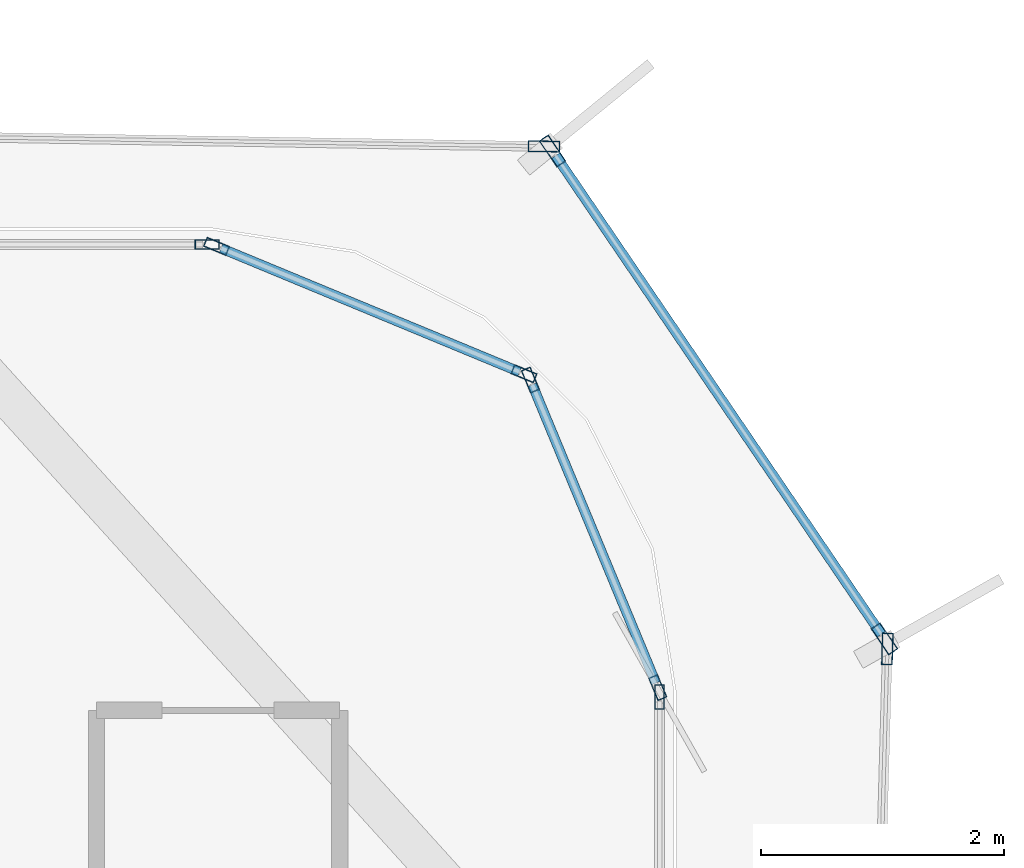
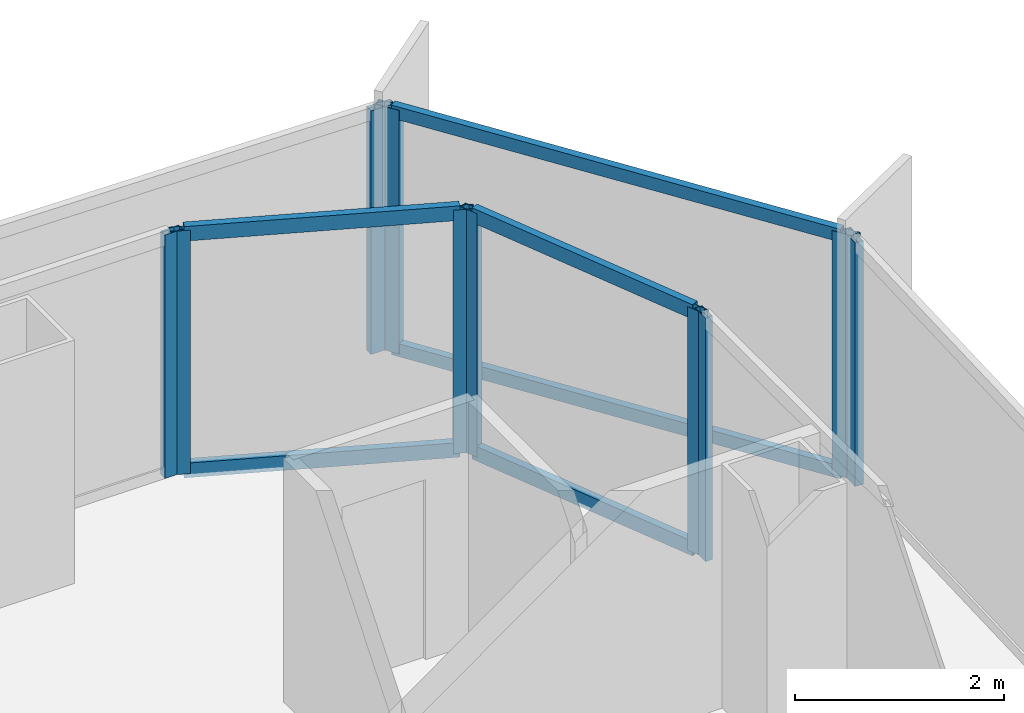
# One storey, part 14 of 21: 16 members, 7 elements without a shape of their own.
"""IFC4 building model written with IfcOpenShell, lengths in metres."""

from ifc_helpers import new_model, si_unit, direction, frame, origin, origin_2d, place, context, subcontext, project, spatial, hollow_rectangle, extrude, source, transform, mapped, material, layer, layer_set, material_profile, profile_set, type_object, element, aggregate, save


model = new_model("IFC4")

# Units and contexts
model_context = context("Model", 3, precision=1e-05, world=origin(), true_north=direction((0.0, 1.0)))
body_context = subcontext(model_context, "Body", "Model", "MODEL_VIEW")
ifc_project = project(units=[si_unit("LENGTHUNIT", "METRE"), si_unit("AREAUNIT", "SQUARE_METRE"), si_unit("VOLUMEUNIT", "CUBIC_METRE"), si_unit("PLANEANGLEUNIT", "RADIAN"), si_unit("MASSUNIT", "GRAM", prefix="KILO")], contexts=[model_context])

# Site, building, storey
site_placement = place(None, origin())
site = spatial("IfcSite", under=ifc_project, at=site_placement, CompositionType="ELEMENT")
building_placement = place(site_placement, origin())
building = spatial("IfcBuilding", under=site, at=building_placement, Name="Kolveth Station Tower", CompositionType="ELEMENT")
storey_placement = place(building_placement, frame((0.0, 0.0, 140.699951171875)))
storey = spatial("IfcBuildingStorey", under=building, at=storey_placement, Name="L39", CompositionType="ELEMENT", Elevation=140.699951171875)

# Curtain wall, members
ifc_material_1 = material(Name="Aluminium 6063-T6 and low-E dark glass", Category="aluminium")
ifc_layer_1 = layer(ifc_material_1, 0.18994140625)
ifc_layer_set_1 = layer_set([ifc_layer_1], Name="Aluminium 6063-T6 and low-E dark glass")
curtain_wall_type_1 = type_object("IfcCurtainWallType", Name="CurtainWall_CW-Z2", PredefinedType="NOTDEFINED", material=ifc_layer_set_1)
curtain_wall_1_placement = place(storey_placement, origin())
curtain_wall_1 = element("IfcCurtainWall", 1, at=curtain_wall_1_placement, inside=storey, type_object=curtain_wall_type_1, Name="L39 Inner Thermal Curtain Wall 4", PredefinedType="NOTDEFINED")
ifc_material_2 = material(Name="Black anodized aluminium 6063-T6", Category="aluminium")
ifc_material_profile_1 = material_profile(ifc_material_2, hollow_rectangle(XDim=0.080078125, YDim=0.169921875, WallThickness=0.0048828125, at=origin_2d()), Name="ALU-80x170x5")
ifc_profile_set_1 = profile_set([ifc_material_profile_1], Name="Black anodized aluminium 6063-T6")
member_type_1 = type_object("IfcMemberType", Name="Transom_TR2", PredefinedType="USERDEFINED", material=ifc_profile_set_1)
shared_shape_1 = source(origin(), body_context, "Body", "SweptSolid", [
    extrude(hollow_rectangle(XDim=0.080078125, YDim=0.169921875, WallThickness=0.0048828125, at=origin_2d()), origin(), (0.0, 0.0, 1.0), 2.656494140625),
])
member_1_placement = place(storey_placement, frame((46.849365234375, 31.573974609375, 0.0400390625), z_axis=(-0.382676455475, 0.923882422403, 0.0), x_axis=(-0.923882422403, -0.382676455475, 0.0)))
member_1 = element("IfcMember", 2, at=member_1_placement, type_object=member_type_1, Name="CW-Z2 transom 1.1", ObjectType="TRANSOM", PredefinedType="USERDEFINED", context=body_context, shape_type="MappedRepresentation", body=[
    mapped(shared_shape_1, transform((0.0, 0.0, 0.0), x_axis=(1.0, 0.0, 0.0), y_axis=(0.0, 1.0, 0.0), z_axis=(0.0, 0.0, 1.0), scale=1.0)),
])
member_2_placement = place(storey_placement, frame((46.849365234375, 31.573974609375, 2.800048828125), z_axis=(-0.382676455475, 0.923882422403, 0.0), x_axis=(-0.923882422403, -0.382676455475, 0.0)))
member_2 = element("IfcMember", 3, at=member_2_placement, type_object=member_type_1, Name="CW-Z2 transom 1.2", ObjectType="TRANSOM", PredefinedType="USERDEFINED", context=body_context, shape_type="MappedRepresentation", body=[
    mapped(shared_shape_1, transform((0.0, 0.0, 0.0), x_axis=(1.0, 0.0, 0.0), y_axis=(0.0, 1.0, 0.0), z_axis=(0.0, 0.0, 1.0), scale=1.0)),
])

curtain_wall_2_placement = place(storey_placement, origin())
curtain_wall_2 = element("IfcCurtainWall", 4, at=curtain_wall_2_placement, inside=storey, type_object=curtain_wall_type_1, Name="L39 Inner Thermal Curtain Wall 5", PredefinedType="NOTDEFINED")
member_3_placement = place(storey_placement, frame((45.728271484375, 34.1328125, 0.0400390625), z_axis=(-0.923882422403, 0.382676455475, 0.0), x_axis=(-0.382676455475, -0.923882422403, 0.0)))
member_3 = element("IfcMember", 5, at=member_3_placement, type_object=member_type_1, Name="CW-Z2 transom 1.1", ObjectType="TRANSOM", PredefinedType="USERDEFINED", context=body_context, shape_type="MappedRepresentation", body=[
    mapped(shared_shape_1, transform((0.0, 0.0, 0.0), x_axis=(1.0, 0.0, 0.0), y_axis=(0.0, 1.0, 0.0), z_axis=(0.0, 0.0, 1.0), scale=1.0)),
])
member_4_placement = place(storey_placement, frame((45.728271484375, 34.1328125, 2.800048828125), z_axis=(-0.923882422403, 0.382676455475, 0.0), x_axis=(-0.382676455475, -0.923882422403, 0.0)))
member_4 = element("IfcMember", 6, at=member_4_placement, type_object=member_type_1, Name="CW-Z2 transom 1.2", ObjectType="TRANSOM", PredefinedType="USERDEFINED", context=body_context, shape_type="MappedRepresentation", body=[
    mapped(shared_shape_1, transform((0.0, 0.0, 0.0), x_axis=(1.0, 0.0, 0.0), y_axis=(0.0, 1.0, 0.0), z_axis=(0.0, 0.0, 1.0), scale=1.0)),
])

# Curtain wall, member
curtain_wall_3_placement = place(storey_placement, origin())
curtain_wall_3 = element("IfcCurtainWall", 7, at=curtain_wall_3_placement, inside=storey, type_object=curtain_wall_type_1, Name="L39 Inner Thermal Curtain Wall 3", PredefinedType="NOTDEFINED")
ifc_material_profile_2 = material_profile(ifc_material_2, hollow_rectangle(XDim=0.080078125, YDim=0.199951171875, WallThickness=0.0048828125, at=origin_2d()), Name="ALU-80x200x5")
ifc_profile_set_2 = profile_set([ifc_material_profile_2], Name="Black anodized aluminium 6063-T6")
member_type_2 = type_object("IfcMemberType", Name="Mullion_ML2", PredefinedType="MULLION", material=ifc_profile_set_2)
shared_shape_2 = source(origin(), body_context, "Body", "SweptSolid", [
    extrude(hollow_rectangle(XDim=0.080078125, YDim=0.199951171875, WallThickness=0.0048828125, at=origin_2d()), origin(), (0.0, 0.0, 1.0), 2.840087890625),
])
member_5_placement = place(storey_placement, frame((46.8798828125, 31.4599609375, 0.0), z_axis=(0.0, 0.0, 1.0), x_axis=(-1.0, 0.0, 0.0)))
member_5 = element("IfcMember", 8, at=member_5_placement, type_object=member_type_2, Name="CW-Z2 mullion 2", PredefinedType="MULLION", context=body_context, shape_type="MappedRepresentation", body=[
    mapped(shared_shape_2, transform((0.0, 0.0, 0.0), x_axis=(1.0, 0.0, 0.0), y_axis=(0.0, 1.0, 0.0), z_axis=(0.0, 0.0, 1.0), scale=1.0)),
])
aggregate(curtain_wall_3, [member_5])

# Member
member_6_placement = place(storey_placement, frame((46.86474609375, 31.536865234375, 0.0), z_axis=(0.0, 0.0, 1.0), x_axis=(-0.923887883787, -0.38266326998, 0.0)))
member_6 = element("IfcMember", 9, at=member_6_placement, type_object=member_type_2, Name="CW-Z2 mullion 1", PredefinedType="MULLION", context=body_context, shape_type="MappedRepresentation", body=[
    mapped(shared_shape_2, transform((0.0, 0.0, 0.0), x_axis=(1.0, 0.0, 0.0), y_axis=(0.0, 1.0, 0.0), z_axis=(0.0, 0.0, 1.0), scale=1.0)),
])

member_7_placement = place(storey_placement, frame((45.817626953125, 34.065185546875, 0.0), z_axis=(0.0, 0.0, 1.0), x_axis=(-0.923887883787, -0.38266326998, 0.0)))
member_7 = element("IfcMember", 10, at=member_7_placement, type_object=member_type_2, Name="CW-Z2 mullion 2", PredefinedType="MULLION", context=body_context, shape_type="MappedRepresentation", body=[
    mapped(shared_shape_2, transform((0.0, 0.0, 0.0), x_axis=(1.0, 0.0, 0.0), y_axis=(0.0, 1.0, 0.0), z_axis=(0.0, 0.0, 1.0), scale=1.0)),
])

aggregate(curtain_wall_1, [member_6, member_7, member_1, member_2])

member_8_placement = place(storey_placement, frame((45.76513671875, 34.117431640625, 0.0), z_axis=(0.0, 0.0, 1.0), x_axis=(-0.38266326998, -0.923887883787, 0.0)))
member_8 = element("IfcMember", 11, at=member_8_placement, type_object=member_type_2, Name="CW-Z2 mullion 1", PredefinedType="MULLION", context=body_context, shape_type="MappedRepresentation", body=[
    mapped(shared_shape_2, transform((0.0, 0.0, 0.0), x_axis=(1.0, 0.0, 0.0), y_axis=(0.0, 1.0, 0.0), z_axis=(0.0, 0.0, 1.0), scale=1.0)),
])

member_9_placement = place(storey_placement, frame((43.237060546875, 35.164794921875, 0.0), z_axis=(0.0, 0.0, 1.0), x_axis=(-0.38266326998, -0.923887883787, 0.0)))
member_9 = element("IfcMember", 12, at=member_9_placement, type_object=member_type_2, Name="CW-Z2 mullion 2", PredefinedType="MULLION", context=body_context, shape_type="MappedRepresentation", body=[
    mapped(shared_shape_2, transform((0.0, 0.0, 0.0), x_axis=(1.0, 0.0, 0.0), y_axis=(0.0, 1.0, 0.0), z_axis=(0.0, 0.0, 1.0), scale=1.0)),
])

aggregate(curtain_wall_2, [member_8, member_9, member_3, member_4])

# Curtain wall, member
curtain_wall_4_placement = place(storey_placement, origin())
curtain_wall_4 = element("IfcCurtainWall", 13, at=curtain_wall_4_placement, inside=storey, type_object=curtain_wall_type_1, Name="L39 Inner Thermal Curtain Wall 6", PredefinedType="NOTDEFINED")
member_10_placement = place(storey_placement, frame((43.159912109375, 35.179931640625, 0.0), z_axis=(0.0, 0.0, 1.0), x_axis=(0.0, -1.0, 0.0)))
member_10 = element("IfcMember", 14, at=member_10_placement, type_object=member_type_2, Name="CW-Z2 mullion 1", PredefinedType="MULLION", context=body_context, shape_type="MappedRepresentation", body=[
    mapped(shared_shape_2, transform((0.0, 0.0, 0.0), x_axis=(1.0, 0.0, 0.0), y_axis=(0.0, 1.0, 0.0), z_axis=(0.0, 0.0, 1.0), scale=1.0)),
])
aggregate(curtain_wall_4, [member_10])

ifc_material_3 = material(Name="Black anodized aluminium 6063-T6 and dark solar glass", Category="aluminium")
ifc_layer_2 = layer(ifc_material_3, 0.159912109375)
ifc_layer_set_2 = layer_set([ifc_layer_2], Name="Black anodized aluminium 6063-T6 and dark solar glass")
curtain_wall_type_2 = type_object("IfcCurtainWallType", Name="OUTER SKIN CW-OS", PredefinedType="NOTDEFINED", material=ifc_layer_set_2)
curtain_wall_5_placement = place(storey_placement, origin())
curtain_wall_5 = element("IfcCurtainWall", 15, at=curtain_wall_5_placement, inside=storey, type_object=curtain_wall_type_2, Name="L39 Outer Ventilated Skin Curtain Wall 2", PredefinedType="NOTDEFINED")
ifc_material_profile_3 = material_profile(ifc_material_2, hollow_rectangle(XDim=0.090087890625, YDim=0.260009765625, WallThickness=0.0048828125, at=origin_2d()), Name="ALU-90x260x5")
ifc_profile_set_3 = profile_set([ifc_material_profile_3], Name="Black anodized aluminium 6063-T6")
member_type_3 = type_object("IfcMemberType", Name="FIN MULLION ML-OS", PredefinedType="MULLION", material=ifc_profile_set_3)
shared_shape_3 = source(origin(), body_context, "Body", "SweptSolid", [
    extrude(hollow_rectangle(XDim=0.090087890625, YDim=0.260009765625, WallThickness=0.0048828125, at=origin_2d()), origin(), (0.0, 0.0, 1.0), 2.840087890625),
])
member_11_placement = place(storey_placement, frame((48.752197265625, 31.85546875, 0.0), z_axis=(0.0, 0.0, 1.0), x_axis=(-0.999614927621, 0.027748810364, 0.0)))
member_11 = element("IfcMember", 16, at=member_11_placement, type_object=member_type_3, Name="CW-OS mullion 2", PredefinedType="MULLION", context=body_context, shape_type="MappedRepresentation", body=[
    mapped(shared_shape_3, transform((0.0, 0.0, 0.0), x_axis=(1.0, 0.0, 0.0), y_axis=(0.0, 1.0, 0.0), z_axis=(0.0, 0.0, 1.0), scale=1.0)),
])
aggregate(curtain_wall_5, [member_11])

# Curtain wall, members
curtain_wall_6_placement = place(storey_placement, origin())
curtain_wall_6 = element("IfcCurtainWall", 17, at=curtain_wall_6_placement, inside=storey, type_object=curtain_wall_type_2, Name="L39 Outer Ventilated Skin Curtain Wall 3", PredefinedType="NOTDEFINED")
member_12_placement = place(storey_placement, frame((48.728271484375, 31.937744140625, 0.0), z_axis=(0.0, 0.0, 1.0), x_axis=(-0.82682974732, -0.562452281484, 0.0)))
member_12 = element("IfcMember", 18, at=member_12_placement, type_object=member_type_3, Name="CW-OS mullion 1", PredefinedType="MULLION", context=body_context, shape_type="MappedRepresentation", body=[
    mapped(shared_shape_3, transform((0.0, 0.0, 0.0), x_axis=(1.0, 0.0, 0.0), y_axis=(0.0, 1.0, 0.0), z_axis=(0.0, 0.0, 1.0), scale=1.0)),
])
member_13_placement = place(storey_placement, frame((45.999755859375, 35.94873046875, 0.0), z_axis=(0.0, 0.0, 1.0), x_axis=(-0.82682974732, -0.562452281484, 0.0)))
member_13 = element("IfcMember", 19, at=member_13_placement, type_object=member_type_3, Name="CW-OS mullion 2", PredefinedType="MULLION", context=body_context, shape_type="MappedRepresentation", body=[
    mapped(shared_shape_3, transform((0.0, 0.0, 0.0), x_axis=(1.0, 0.0, 0.0), y_axis=(0.0, 1.0, 0.0), z_axis=(0.0, 0.0, 1.0), scale=1.0)),
])

# Curtain wall, member
curtain_wall_7_placement = place(storey_placement, origin())
curtain_wall_7 = element("IfcCurtainWall", 20, at=curtain_wall_7_placement, inside=storey, type_object=curtain_wall_type_2, Name="L39 Outer Ventilated Skin Curtain Wall 4", PredefinedType="NOTDEFINED")
member_14_placement = place(storey_placement, frame((45.929443359375, 35.986572265625, 0.0), z_axis=(0.0, 0.0, 1.0), x_axis=(-0.016211778343, -0.999868580486, 0.0)))
member_14 = element("IfcMember", 21, at=member_14_placement, type_object=member_type_3, Name="CW-OS mullion 1", PredefinedType="MULLION", context=body_context, shape_type="MappedRepresentation", body=[
    mapped(shared_shape_3, transform((0.0, 0.0, 0.0), x_axis=(1.0, 0.0, 0.0), y_axis=(0.0, 1.0, 0.0), z_axis=(0.0, 0.0, 1.0), scale=1.0)),
])
aggregate(curtain_wall_7, [member_14])

# Member
ifc_material_profile_4 = material_profile(ifc_material_2, hollow_rectangle(XDim=0.080078125, YDim=0.14990234375, WallThickness=0.0048828125, at=origin_2d()), Name="ALU-80x150x5")
ifc_profile_set_4 = profile_set([ifc_material_profile_4], Name="Black anodized aluminium 6063-T6")
member_type_4 = type_object("IfcMemberType", Name="Transom_TR-OS", PredefinedType="USERDEFINED", material=ifc_profile_set_4)
shared_shape_4 = source(origin(), body_context, "Body", "SweptSolid", [
    extrude(hollow_rectangle(XDim=0.080078125, YDim=0.14990234375, WallThickness=0.0048828125, at=origin_2d()), origin(), (0.0, 0.0, 1.0), 4.760986328125),
])
member_15_placement = place(storey_placement, frame((48.702880859375, 31.974853515625, 0.0400390625), z_axis=(-0.562474112827, 0.826814896092, 0.0), x_axis=(-0.826814896092, -0.562474112827, 0.0)))
member_15 = element("IfcMember", 22, at=member_15_placement, type_object=member_type_4, Name="CW-OS transom 1.1", ObjectType="TRANSOM", PredefinedType="USERDEFINED", context=body_context, shape_type="MappedRepresentation", body=[
    mapped(shared_shape_4, transform((0.0, 0.0, 0.0), x_axis=(1.0, 0.0, 0.0), y_axis=(0.0, 1.0, 0.0), z_axis=(0.0, 0.0, 1.0), scale=1.0)),
])

member_16_placement = place(storey_placement, frame((48.702880859375, 31.974853515625, 2.800048828125), z_axis=(-0.562474112827, 0.826814896092, 0.0), x_axis=(-0.826814896092, -0.562474112827, 0.0)))
member_16 = element("IfcMember", 23, at=member_16_placement, type_object=member_type_4, Name="CW-OS transom 1.2", ObjectType="TRANSOM", PredefinedType="USERDEFINED", context=body_context, shape_type="MappedRepresentation", body=[
    mapped(shared_shape_4, transform((0.0, 0.0, 0.0), x_axis=(1.0, 0.0, 0.0), y_axis=(0.0, 1.0, 0.0), z_axis=(0.0, 0.0, 1.0), scale=1.0)),
])

aggregate(curtain_wall_6, [member_12, member_13, member_15, member_16])

save(model, "model.ifc")
